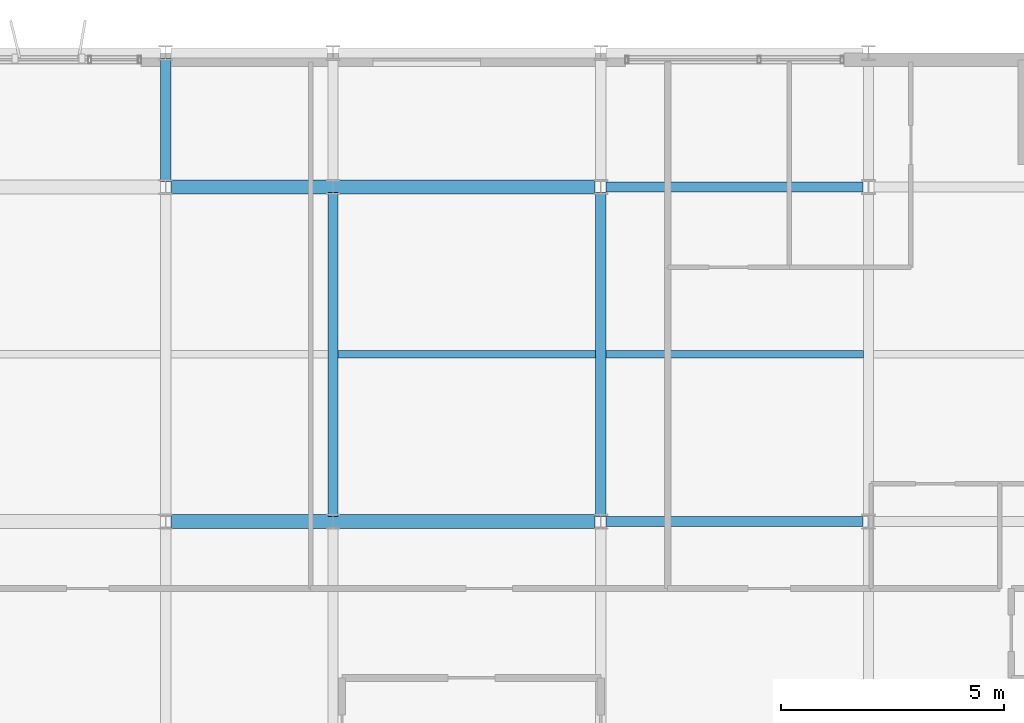
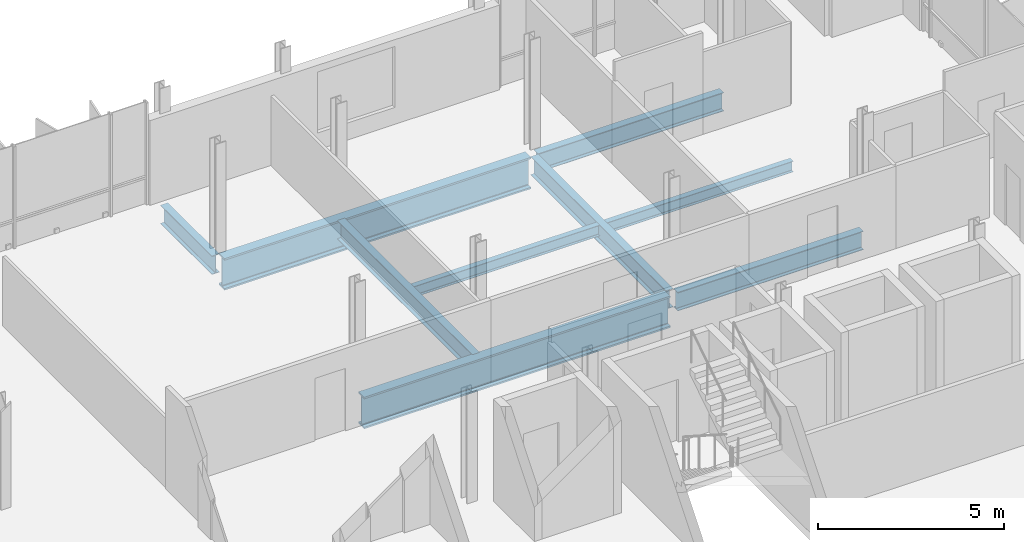
# One storey, part 6 of 18: 9 beams.
"""IFC4 building model written with IfcOpenShell, lengths in metres."""

from ifc_helpers import new_model, si_unit, direction, frame, origin, origin_2d, place, context, subcontext, project, spatial, i_section, extrude, material, material_profile, profile_set, type_object, element, save


model = new_model("IFC4")

# Units and contexts
model_context = context("Model", 3, precision=1e-05, world=origin(), true_north=direction((0.0, 1.0)))
body_context = subcontext(model_context, "Body", "Model", "MODEL_VIEW")
ifc_project = project(units=[si_unit("LENGTHUNIT", "METRE"), si_unit("AREAUNIT", "SQUARE_METRE"), si_unit("VOLUMEUNIT", "CUBIC_METRE"), si_unit("PLANEANGLEUNIT", "RADIAN"), si_unit("MASSUNIT", "GRAM", prefix="KILO")], contexts=[model_context])

# Site, building, storey
site_placement = place(None, origin())
site = spatial("IfcSite", under=ifc_project, at=site_placement, CompositionType="ELEMENT")
building_placement = place(site_placement, origin())
building = spatial("IfcBuilding", under=site, at=building_placement, Name="Brevholm Reach", CompositionType="ELEMENT")
storey_placement = place(building_placement, frame((0.0, 0.0, 243.64990234375)))
storey = spatial("IfcBuildingStorey", under=building, at=storey_placement, Name="L74", CompositionType="ELEMENT", Elevation=243.64990234375)

# Beams
ifc_material_1 = material(Name="Structural Steel S355J2", Category="steel")
ifc_material_profile_1 = material_profile(ifc_material_1, i_section(OverallWidth=0.17138671875, OverallDepth=0.35498046875, WebThickness=0.00732421875, FlangeThickness=0.011474609375, FilletRadius=0.01025390625, at=origin_2d()), Name="UKB 356x171x51")
ifc_profile_set_1 = profile_set([ifc_material_profile_1], Name="Structural Steel S355J2")
beam_type_1 = type_object("IfcBeamType", Name="BM-B356", PredefinedType="BEAM", material=ifc_profile_set_1)
for number, where, z_axis, x_axis, name in (
    (1, (42.114501953125, 19.75, -0.427490234375), (1.0, 0.0, 0.0), (0.0, 1.0, 0.0), "L74 Composite Secondary Floor Beam"),
    (2, (48.114501953125, 19.75, -0.427490234375), (1.0, 0.0, 0.0), (0.0, 1.0, 0.0), "L74 Composite Secondary Floor Beam"),
):
    element("IfcBeam", number, at=place(storey_placement, frame(where, z_axis=z_axis, x_axis=x_axis)), inside=storey, type_object=beam_type_1, Name=name, PredefinedType="BEAM", context=body_context, shape_type="SweptSolid", body=[
        extrude(i_section(OverallWidth=0.17138671875, OverallDepth=0.35498046875, WebThickness=0.00732421875, FlangeThickness=0.011474609375, FilletRadius=0.01025390625, at=origin_2d()), origin(), (0.0, 0.0, 1.0), 5.77099609375),
    ])
ifc_material_2 = material(Name="Structural Steel S355J2", Category="steel")
ifc_material_profile_2 = material_profile(ifc_material_2, i_section(OverallWidth=0.22900390625, OverallDepth=0.6123046875, WebThickness=0.011962890625, FlangeThickness=0.01953125, FilletRadius=0.0126953125, at=origin_2d()), Name="UKB 610x229x125")
ifc_profile_set_2 = profile_set([ifc_material_profile_2], Name="Structural Steel S355J2")
beam_type_2 = type_object("IfcBeamType", Name="BM-SP610", PredefinedType="SPANDREL", material=ifc_profile_set_2)
for number, where, z_axis, x_axis, name in (
    (3, (48.1201171875, 16.0, -0.555908203125), (1.0, 0.0, 0.0), (0.0, 1.0, 0.0), "L74 SP-01 Framing Beam"),
    (4, (48.1201171875, 23.5, -0.555908203125), (1.0, 0.0, 0.0), (0.0, 1.0, 0.0), "L74 SP-01 Framing Beam"),
):
    element("IfcBeam", number, at=place(storey_placement, frame(where, z_axis=z_axis, x_axis=x_axis)), inside=storey, type_object=beam_type_2, Name=name, PredefinedType="SPANDREL", context=body_context, shape_type="SweptSolid", body=[
        extrude(i_section(OverallWidth=0.22900390625, OverallDepth=0.6123046875, WebThickness=0.011962890625, FlangeThickness=0.01953125, FilletRadius=0.0126953125, at=origin_2d()), origin(), (0.0, 0.0, 1.0), 5.759765625),
    ])
beam_placement = place(storey_placement, frame((38.25, 23.6201171875, -0.555908203125), z_axis=(0.0, 1.0, 0.0), x_axis=(-1.0, 0.0, 0.0)))
element("IfcBeam", 5, at=beam_placement, inside=storey, type_object=beam_type_2, Name="L74 SP-01 Framing Beam", PredefinedType="SPANDREL", context=body_context, shape_type="SweptSolid", body=[
    extrude(i_section(OverallWidth=0.22900390625, OverallDepth=0.6123046875, WebThickness=0.011962890625, FlangeThickness=0.01953125, FilletRadius=0.0126953125, at=origin_2d()), origin(), (0.0, 0.0, 1.0), 2.759765625),
])
for number, where, z_axis, x_axis, name in (
    (6, (42.0, 16.1201171875, -0.555908203125), (0.0, 1.0, 0.0), (-1.0, 0.0, 0.0), "L74 SP-01 Framing Beam"),
    (7, (48.0, 16.1201171875, -0.555908203125), (0.0, 1.0, 0.0), (-1.0, 0.0, 0.0), "L74 SP-01 Framing Beam"),
):
    element("IfcBeam", number, at=place(storey_placement, frame(where, z_axis=z_axis, x_axis=x_axis)), inside=storey, type_object=beam_type_2, Name=name, PredefinedType="SPANDREL", context=body_context, shape_type="SweptSolid", body=[
        extrude(i_section(OverallWidth=0.22900390625, OverallDepth=0.6123046875, WebThickness=0.011962890625, FlangeThickness=0.01953125, FilletRadius=0.0126953125, at=origin_2d()), origin(), (0.0, 0.0, 1.0), 7.259765625),
    ])
ifc_material_3 = material(Name="Structural Steel S460ML", Category="steel")
ifc_material_profile_3 = material_profile(ifc_material_3, i_section(OverallWidth=0.30859375, OverallDepth=1.036376953125, WebThickness=0.030029296875, FlangeThickness=0.05419921875, FilletRadius=0.030029296875, at=origin_2d()), Name="UKB 1016x305x487")
ifc_profile_set_3 = profile_set([ifc_material_profile_3], Name="Structural Steel S460ML")
beam_type_3 = type_object("IfcBeamType", Name="BM-UKB1016", PredefinedType="USERDEFINED", material=ifc_profile_set_3)
for number, where, z_axis, x_axis, name in (
    (8, (38.3701171875, 16.0, -0.76806640625), (1.0, 0.0, 0.0), (0.0, 1.0, 0.0), "L74 Sky-Lounge Back-Span Girder 2"),
    (9, (38.3701171875, 23.5, -0.76806640625), (1.0, 0.0, 0.0), (0.0, 1.0, 0.0), "L74 Sky-Lounge Back-Span Girder 2"),
):
    element("IfcBeam", number, at=place(storey_placement, frame(where, z_axis=z_axis, x_axis=x_axis)), inside=storey, type_object=beam_type_3, Name=name, ObjectType="GIRDER", PredefinedType="USERDEFINED", context=body_context, shape_type="SweptSolid", body=[
        extrude(i_section(OverallWidth=0.30859375, OverallDepth=1.036376953125, WebThickness=0.030029296875, FlangeThickness=0.05419921875, FilletRadius=0.030029296875, at=origin_2d()), origin(), (0.0, 0.0, 1.0), 9.5),
    ])

save(model, "model.ifc")
